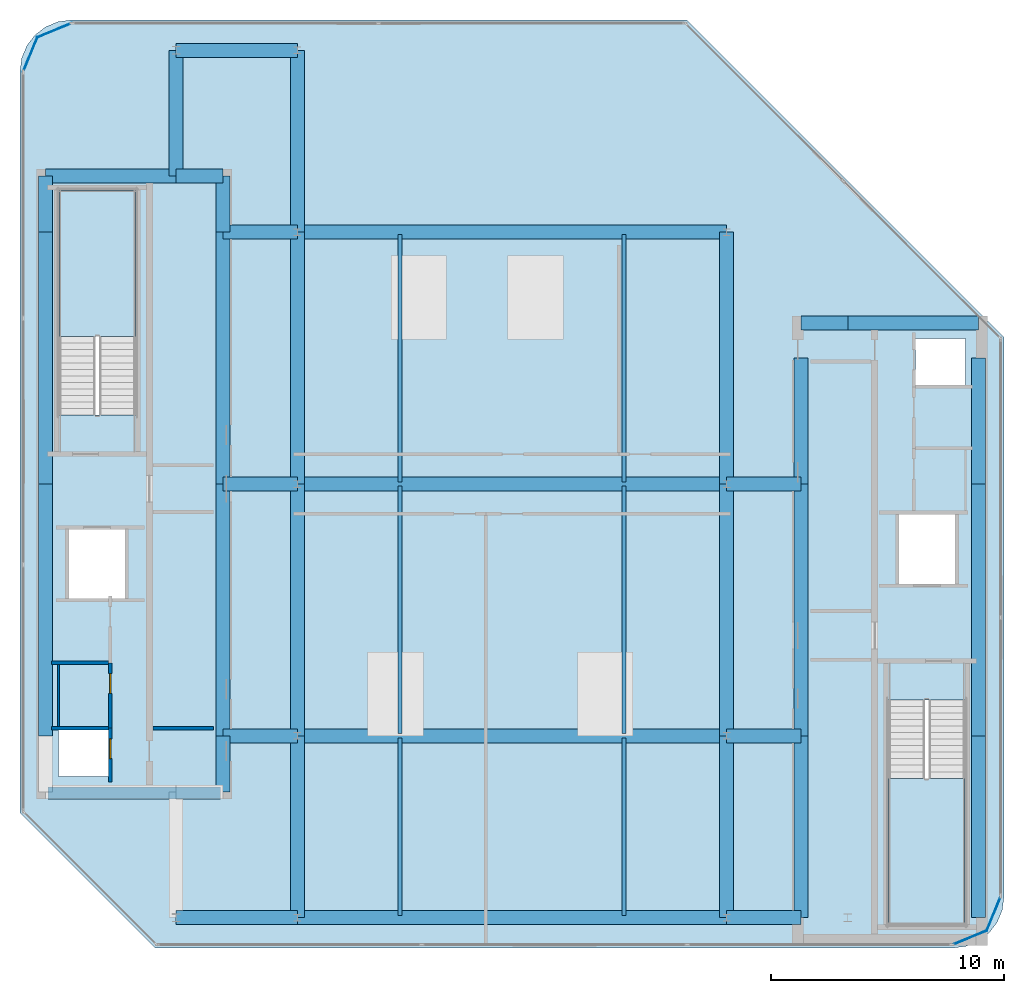
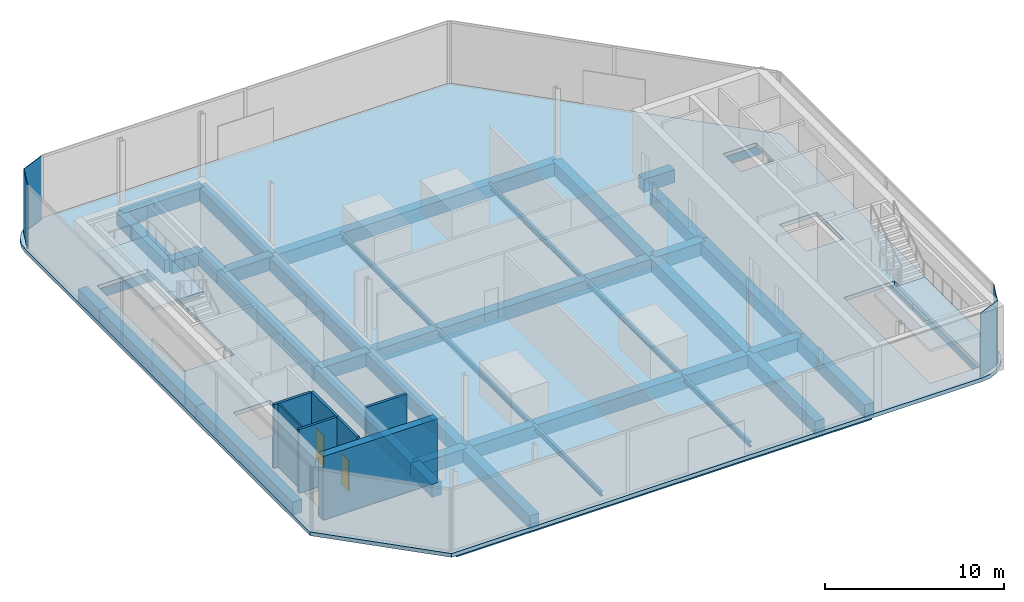
# One storey, part 4 of 15: 43 beams, 7 walls, 4 plates, 3 slabs, 2 doors, 2 openings, 2 elements without a shape of their own.
"""IFC4 building model written with IfcOpenShell, lengths in metres."""

from ifc_helpers import new_model, si_unit, direction, frame, frame_2d, origin, origin_2d, place, context, subcontext, project, spatial, polyline, rectangle, i_section, outline, extrude, material, layer, layer_set, material_profile, profile_set, type_object, element, fill, aggregate, save


model = new_model("IFC4")

# Units and contexts
model_context = context("Model", 3, precision=1e-05, world=origin(), true_north=direction((0.0, 1.0)))
body_context = subcontext(model_context, "Body", "Model", "MODEL_VIEW")
ifc_project = project(units=[si_unit("LENGTHUNIT", "METRE"), si_unit("AREAUNIT", "SQUARE_METRE"), si_unit("VOLUMEUNIT", "CUBIC_METRE"), si_unit("PLANEANGLEUNIT", "RADIAN"), si_unit("MASSUNIT", "GRAM", prefix="KILO")], contexts=[model_context])

# Site, building, storey
site_placement = place(None, origin())
site = spatial("IfcSite", under=ifc_project, at=site_placement, CompositionType="ELEMENT")
building_placement = place(site_placement, origin())
building = spatial("IfcBuilding", under=site, at=building_placement, Name="Khairoan Windgate Tower", CompositionType="ELEMENT")
storey_placement = place(building_placement, frame((0.0, 0.0, 330.39990234375)))
storey = spatial("IfcBuildingStorey", under=building, at=storey_placement, Name="L79", CompositionType="ELEMENT", Elevation=330.39990234375)

# Beams
ifc_material_1 = material(Name="Concrete C50/60", Category="concrete")
ifc_material_profile_1 = material_profile(ifc_material_1, rectangle(XDim=0.60009765625, YDim=0.89990234375, at=origin_2d()))
ifc_profile_set_1 = profile_set([ifc_material_profile_1], Name="Concrete C50/60")
beam_type_1 = type_object("IfcBeamType", Name="Beam B-RC1 RC600x900", PredefinedType="BEAM", material=ifc_profile_set_1)
beam_1_placement = place(storey_placement, frame((-14.39990234375, -18.60009765625, -0.7099609375), z_axis=(1.0, 0.0, 0.0), x_axis=(0.0, 1.0, 0.0)))
element("IfcBeam", 1, at=beam_1_placement, inside=storey, type_object=beam_type_1, Name="L79 E-W Primary Girder 01", PredefinedType="BEAM", context=body_context, shape_type="SweptSolid", body=[
    extrude(rectangle(XDim=0.60009765625, YDim=0.89990234375, at=origin_2d()), origin(), (0.0, 0.0, 1.0), 5.199951171875),
])
beam_2_placement = place(storey_placement, frame((-9.199951171875, -18.60009765625, -0.7099609375), z_axis=(1.0, 0.0, 0.0), x_axis=(0.0, 1.0, 0.0)))
element("IfcBeam", 2, at=beam_2_placement, inside=storey, type_object=beam_type_1, Name="L79 E-W Primary Girder 02", PredefinedType="BEAM", context=body_context, shape_type="SweptSolid", body=[
    extrude(rectangle(XDim=0.60009765625, YDim=0.89990234375, at=origin_2d()), origin(), (0.0, 0.0, 1.0), 18.39990234375),
])
for number, where, z_axis, x_axis, name in (
    (3, (9.199951171875, -18.60009765625, -0.7099609375), (1.0, 0.0, 0.0), (0.0, 1.0, 0.0), "L79 E-W Primary Girder 03"),
    (4, (-12.39990234375, -10.800048828125, -0.7099609375), (1.0, 0.0, 0.0), (0.0, 1.0, 0.0), "L79 E-W Primary Girder 06"),
):
    element("IfcBeam", number, at=place(storey_placement, frame(where, z_axis=z_axis, x_axis=x_axis)), inside=storey, type_object=beam_type_1, Name=name, PredefinedType="BEAM", context=body_context, shape_type="SweptSolid", body=[
        extrude(rectangle(XDim=0.60009765625, YDim=0.89990234375, at=origin_2d()), origin(), (0.0, 0.0, 1.0), 3.199951171875),
    ])
beam_3_placement = place(storey_placement, frame((-9.199951171875, -10.800048828125, -0.7099609375), z_axis=(1.0, 0.0, 0.0), x_axis=(0.0, 1.0, 0.0)))
element("IfcBeam", 5, at=beam_3_placement, inside=storey, type_object=beam_type_1, Name="L79 E-W Primary Girder 07", PredefinedType="BEAM", context=body_context, shape_type="SweptSolid", body=[
    extrude(rectangle(XDim=0.60009765625, YDim=0.89990234375, at=origin_2d()), origin(), (0.0, 0.0, 1.0), 18.39990234375),
])
for number, where, z_axis, x_axis, name in (
    (6, (9.199951171875, -10.800048828125, -0.7099609375), (1.0, 0.0, 0.0), (0.0, 1.0, 0.0), "L79 E-W Primary Girder 08"),
    (7, (-12.39990234375, 0.0, -0.7099609375), (1.0, 0.0, 0.0), (0.0, 1.0, 0.0), "L79 E-W Primary Girder 09"),
):
    element("IfcBeam", number, at=place(storey_placement, frame(where, z_axis=z_axis, x_axis=x_axis)), inside=storey, type_object=beam_type_1, Name=name, PredefinedType="BEAM", context=body_context, shape_type="SweptSolid", body=[
        extrude(rectangle(XDim=0.60009765625, YDim=0.89990234375, at=origin_2d()), origin(), (0.0, 0.0, 1.0), 3.199951171875),
    ])
beam_4_placement = place(storey_placement, frame((-9.199951171875, 0.0, -0.7099609375), z_axis=(1.0, 0.0, 0.0), x_axis=(0.0, 1.0, 0.0)))
element("IfcBeam", 8, at=beam_4_placement, inside=storey, type_object=beam_type_1, Name="L79 E-W Primary Girder 10", PredefinedType="BEAM", context=body_context, shape_type="SweptSolid", body=[
    extrude(rectangle(XDim=0.60009765625, YDim=0.89990234375, at=origin_2d()), origin(), (0.0, 0.0, 1.0), 18.39990234375),
])
beam_5_placement = place(storey_placement, frame((9.199951171875, 0.0, -0.7099609375), z_axis=(1.0, 0.0, 0.0), x_axis=(0.0, 1.0, 0.0)))
element("IfcBeam", 9, at=beam_5_placement, inside=storey, type_object=beam_type_1, Name="L79 E-W Primary Girder 11", PredefinedType="BEAM", context=body_context, shape_type="SweptSolid", body=[
    extrude(rectangle(XDim=0.60009765625, YDim=0.89990234375, at=origin_2d()), origin(), (0.0, 0.0, 1.0), 3.199951171875),
])
beam_6_placement = place(storey_placement, frame((12.39990234375, 6.89990234375, -0.7099609375), z_axis=(1.0, 0.0, 0.0), x_axis=(0.0, 1.0, 0.0)))
element("IfcBeam", 10, at=beam_6_placement, inside=storey, type_object=beam_type_1, Name="L79 E-W Primary Girder 12", PredefinedType="BEAM", context=body_context, shape_type="SweptSolid", body=[
    extrude(rectangle(XDim=0.60009765625, YDim=0.89990234375, at=origin_2d()), origin(), (0.0, 0.0, 1.0), 2.0),
])
beam_7_placement = place(storey_placement, frame((14.39990234375, 6.89990234375, -0.7099609375), z_axis=(1.0, 0.0, 0.0), x_axis=(0.0, 1.0, 0.0)))
element("IfcBeam", 11, at=beam_7_placement, inside=storey, type_object=beam_type_1, Name="L79 E-W Primary Girder 13", PredefinedType="BEAM", context=body_context, shape_type="SweptSolid", body=[
    extrude(rectangle(XDim=0.60009765625, YDim=0.89990234375, at=origin_2d()), origin(), (0.0, 0.0, 1.0), 5.60009765625),
])
beam_8_placement = place(storey_placement, frame((-12.39990234375, 10.800048828125, -0.7099609375), z_axis=(1.0, 0.0, 0.0), x_axis=(0.0, 1.0, 0.0)))
element("IfcBeam", 12, at=beam_8_placement, inside=storey, type_object=beam_type_1, Name="L79 E-W Primary Girder 14", PredefinedType="BEAM", context=body_context, shape_type="SweptSolid", body=[
    extrude(rectangle(XDim=0.60009765625, YDim=0.89990234375, at=origin_2d()), origin(), (0.0, 0.0, 1.0), 3.199951171875),
])
beam_9_placement = place(storey_placement, frame((-9.199951171875, 10.800048828125, -0.7099609375), z_axis=(1.0, 0.0, 0.0), x_axis=(0.0, 1.0, 0.0)))
element("IfcBeam", 13, at=beam_9_placement, inside=storey, type_object=beam_type_1, Name="L79 E-W Primary Girder 15", PredefinedType="BEAM", context=body_context, shape_type="SweptSolid", body=[
    extrude(rectangle(XDim=0.60009765625, YDim=0.89990234375, at=origin_2d()), origin(), (0.0, 0.0, 1.0), 18.39990234375),
])
beam_10_placement = place(storey_placement, frame((-20.0, 13.199951171875, -0.7099609375), z_axis=(1.0, 0.0, 0.0), x_axis=(0.0, 1.0, 0.0)))
element("IfcBeam", 14, at=beam_10_placement, inside=storey, type_object=beam_type_1, Name="L79 E-W Primary Girder 16", PredefinedType="BEAM", context=body_context, shape_type="SweptSolid", body=[
    extrude(rectangle(XDim=0.60009765625, YDim=0.89990234375, at=origin_2d()), origin(), (0.0, 0.0, 1.0), 5.60009765625),
])
beam_11_placement = place(storey_placement, frame((-14.39990234375, 13.199951171875, -0.7099609375), z_axis=(1.0, 0.0, 0.0), x_axis=(0.0, 1.0, 0.0)))
element("IfcBeam", 15, at=beam_11_placement, inside=storey, type_object=beam_type_1, Name="L79 E-W Primary Girder 17", PredefinedType="BEAM", context=body_context, shape_type="SweptSolid", body=[
    extrude(rectangle(XDim=0.60009765625, YDim=0.89990234375, at=origin_2d()), origin(), (0.0, 0.0, 1.0), 2.0),
])
beam_12_placement = place(storey_placement, frame((-14.39990234375, 18.60009765625, -0.7099609375), z_axis=(1.0, 0.0, 0.0), x_axis=(0.0, 1.0, 0.0)))
element("IfcBeam", 16, at=beam_12_placement, inside=storey, type_object=beam_type_1, Name="L79 E-W Primary Girder 18", PredefinedType="BEAM", context=body_context, shape_type="SweptSolid", body=[
    extrude(rectangle(XDim=0.60009765625, YDim=0.89990234375, at=origin_2d()), origin(), (0.0, 0.0, 1.0), 5.199951171875),
])
for number, where, z_axis, x_axis, name in (
    (17, (-20.0, -10.800048828125, -0.7099609375), (0.0, 1.0, 0.0), (-1.0, 0.0, 0.0), "L79 N-S Primary Beam 20"),
    (18, (-20.0, 0.0, -0.7099609375), (0.0, 1.0, 0.0), (-1.0, 0.0, 0.0), "L79 N-S Primary Beam 21"),
):
    element("IfcBeam", number, at=place(storey_placement, frame(where, z_axis=z_axis, x_axis=x_axis)), inside=storey, type_object=beam_type_1, Name=name, PredefinedType="BEAM", context=body_context, shape_type="SweptSolid", body=[
        extrude(rectangle(XDim=0.60009765625, YDim=0.89990234375, at=origin_2d()), origin(), (0.0, 0.0, 1.0), 10.800048828125),
    ])
beam_13_placement = place(storey_placement, frame((-20.0, 10.800048828125, -0.7099609375), z_axis=(0.0, 1.0, 0.0), x_axis=(-1.0, 0.0, 0.0)))
element("IfcBeam", 19, at=beam_13_placement, inside=storey, type_object=beam_type_1, Name="L79 N-S Primary Beam 22", PredefinedType="BEAM", context=body_context, shape_type="SweptSolid", body=[
    extrude(rectangle(XDim=0.60009765625, YDim=0.89990234375, at=origin_2d()), origin(), (0.0, 0.0, 1.0), 2.39990234375),
])
beam_14_placement = place(storey_placement, frame((-14.39990234375, 13.199951171875, -0.7099609375), z_axis=(0.0, 1.0, 0.0), x_axis=(-1.0, 0.0, 0.0)))
element("IfcBeam", 20, at=beam_14_placement, inside=storey, type_object=beam_type_1, Name="L79 N-S Primary Beam 24", PredefinedType="BEAM", context=body_context, shape_type="SweptSolid", body=[
    extrude(rectangle(XDim=0.60009765625, YDim=0.89990234375, at=origin_2d()), origin(), (0.0, 0.0, 1.0), 5.400146484375),
])
beam_15_placement = place(storey_placement, frame((-12.39990234375, -13.199951171875, -0.7099609375), z_axis=(0.0, 1.0, 0.0), x_axis=(-1.0, 0.0, 0.0)))
element("IfcBeam", 21, at=beam_15_placement, inside=storey, type_object=beam_type_1, Name="L79 N-S Primary Beam 25", PredefinedType="BEAM", context=body_context, shape_type="SweptSolid", body=[
    extrude(rectangle(XDim=0.60009765625, YDim=0.89990234375, at=origin_2d()), origin(), (0.0, 0.0, 1.0), 2.39990234375),
])
for number, where, z_axis, x_axis, name in (
    (22, (-12.39990234375, -10.800048828125, -0.7099609375), (0.0, 1.0, 0.0), (-1.0, 0.0, 0.0), "L79 N-S Primary Beam 26"),
    (23, (-12.39990234375, 0.0, -0.7099609375), (0.0, 1.0, 0.0), (-1.0, 0.0, 0.0), "L79 N-S Primary Beam 27"),
):
    element("IfcBeam", number, at=place(storey_placement, frame(where, z_axis=z_axis, x_axis=x_axis)), inside=storey, type_object=beam_type_1, Name=name, PredefinedType="BEAM", context=body_context, shape_type="SweptSolid", body=[
        extrude(rectangle(XDim=0.60009765625, YDim=0.89990234375, at=origin_2d()), origin(), (0.0, 0.0, 1.0), 10.800048828125),
    ])
beam_16_placement = place(storey_placement, frame((-12.39990234375, 10.800048828125, -0.7099609375), z_axis=(0.0, 1.0, 0.0), x_axis=(-1.0, 0.0, 0.0)))
element("IfcBeam", 24, at=beam_16_placement, inside=storey, type_object=beam_type_1, Name="L79 N-S Primary Beam 28", PredefinedType="BEAM", context=body_context, shape_type="SweptSolid", body=[
    extrude(rectangle(XDim=0.60009765625, YDim=0.89990234375, at=origin_2d()), origin(), (0.0, 0.0, 1.0), 2.39990234375),
])
beam_17_placement = place(storey_placement, frame((-9.199951171875, -18.60009765625, -0.7099609375), z_axis=(0.0, 1.0, 0.0), x_axis=(-1.0, 0.0, 0.0)))
element("IfcBeam", 25, at=beam_17_placement, inside=storey, type_object=beam_type_1, Name="L79 N-S Primary Beam 29", PredefinedType="BEAM", context=body_context, shape_type="SweptSolid", body=[
    extrude(rectangle(XDim=0.60009765625, YDim=0.89990234375, at=origin_2d()), origin(), (0.0, 0.0, 1.0), 7.800048828125),
])
for number, where, z_axis, x_axis, name in (
    (26, (-9.199951171875, -10.800048828125, -0.7099609375), (0.0, 1.0, 0.0), (-1.0, 0.0, 0.0), "L79 N-S Primary Beam 30"),
    (27, (-9.199951171875, 0.0, -0.7099609375), (0.0, 1.0, 0.0), (-1.0, 0.0, 0.0), "L79 N-S Primary Beam 31"),
):
    element("IfcBeam", number, at=place(storey_placement, frame(where, z_axis=z_axis, x_axis=x_axis)), inside=storey, type_object=beam_type_1, Name=name, PredefinedType="BEAM", context=body_context, shape_type="SweptSolid", body=[
        extrude(rectangle(XDim=0.60009765625, YDim=0.89990234375, at=origin_2d()), origin(), (0.0, 0.0, 1.0), 10.800048828125),
    ])
for number, where, z_axis, x_axis, name in (
    (28, (-9.199951171875, 10.800048828125, -0.7099609375), (0.0, 1.0, 0.0), (-1.0, 0.0, 0.0), "L79 N-S Primary Beam 32"),
    (29, (9.199951171875, -18.60009765625, -0.7099609375), (0.0, 1.0, 0.0), (-1.0, 0.0, 0.0), "L79 N-S Primary Beam 33"),
):
    element("IfcBeam", number, at=place(storey_placement, frame(where, z_axis=z_axis, x_axis=x_axis)), inside=storey, type_object=beam_type_1, Name=name, PredefinedType="BEAM", context=body_context, shape_type="SweptSolid", body=[
        extrude(rectangle(XDim=0.60009765625, YDim=0.89990234375, at=origin_2d()), origin(), (0.0, 0.0, 1.0), 7.800048828125),
    ])
for number, where, z_axis, x_axis, name in (
    (30, (9.199951171875, -10.800048828125, -0.7099609375), (0.0, 1.0, 0.0), (-1.0, 0.0, 0.0), "L79 N-S Primary Beam 34"),
    (31, (9.199951171875, 0.0, -0.7099609375), (0.0, 1.0, 0.0), (-1.0, 0.0, 0.0), "L79 N-S Primary Beam 35"),
):
    element("IfcBeam", number, at=place(storey_placement, frame(where, z_axis=z_axis, x_axis=x_axis)), inside=storey, type_object=beam_type_1, Name=name, PredefinedType="BEAM", context=body_context, shape_type="SweptSolid", body=[
        extrude(rectangle(XDim=0.60009765625, YDim=0.89990234375, at=origin_2d()), origin(), (0.0, 0.0, 1.0), 10.800048828125),
    ])
beam_18_placement = place(storey_placement, frame((12.39990234375, -18.60009765625, -0.7099609375), z_axis=(0.0, 1.0, 0.0), x_axis=(-1.0, 0.0, 0.0)))
element("IfcBeam", 32, at=beam_18_placement, inside=storey, type_object=beam_type_1, Name="L79 N-S Primary Beam 36", PredefinedType="BEAM", context=body_context, shape_type="SweptSolid", body=[
    extrude(rectangle(XDim=0.60009765625, YDim=0.89990234375, at=origin_2d()), origin(), (0.0, 0.0, 1.0), 7.800048828125),
])
beam_19_placement = place(storey_placement, frame((12.39990234375, -10.800048828125, -0.7099609375), z_axis=(0.0, 1.0, 0.0), x_axis=(-1.0, 0.0, 0.0)))
element("IfcBeam", 33, at=beam_19_placement, inside=storey, type_object=beam_type_1, Name="L79 N-S Primary Beam 37", PredefinedType="BEAM", context=body_context, shape_type="SweptSolid", body=[
    extrude(rectangle(XDim=0.60009765625, YDim=0.89990234375, at=origin_2d()), origin(), (0.0, 0.0, 1.0), 10.800048828125),
])
beam_20_placement = place(storey_placement, frame((12.39990234375, 0.0, -0.7099609375), z_axis=(0.0, 1.0, 0.0), x_axis=(-1.0, 0.0, 0.0)))
element("IfcBeam", 34, at=beam_20_placement, inside=storey, type_object=beam_type_1, Name="L79 N-S Primary Beam 38", PredefinedType="BEAM", context=body_context, shape_type="SweptSolid", body=[
    extrude(rectangle(XDim=0.60009765625, YDim=0.89990234375, at=origin_2d()), origin(), (0.0, 0.0, 1.0), 5.39990234375),
])
beam_21_placement = place(storey_placement, frame((20.0, -18.60009765625, -0.7099609375), z_axis=(0.0, 1.0, 0.0), x_axis=(-1.0, 0.0, 0.0)))
element("IfcBeam", 35, at=beam_21_placement, inside=storey, type_object=beam_type_1, Name="L79 N-S Primary Beam 39", PredefinedType="BEAM", context=body_context, shape_type="SweptSolid", body=[
    extrude(rectangle(XDim=0.60009765625, YDim=0.89990234375, at=origin_2d()), origin(), (0.0, 0.0, 1.0), 7.800048828125),
])
beam_22_placement = place(storey_placement, frame((20.0, -10.800048828125, -0.7099609375), z_axis=(0.0, 1.0, 0.0), x_axis=(-1.0, 0.0, 0.0)))
element("IfcBeam", 36, at=beam_22_placement, inside=storey, type_object=beam_type_1, Name="L79 N-S Primary Beam 40", PredefinedType="BEAM", context=body_context, shape_type="SweptSolid", body=[
    extrude(rectangle(XDim=0.60009765625, YDim=0.89990234375, at=origin_2d()), origin(), (0.0, 0.0, 1.0), 10.800048828125),
])
beam_23_placement = place(storey_placement, frame((20.0, 0.0, -0.7099609375), z_axis=(0.0, 1.0, 0.0), x_axis=(-1.0, 0.0, 0.0)))
element("IfcBeam", 37, at=beam_23_placement, inside=storey, type_object=beam_type_1, Name="L79 N-S Primary Beam 41", PredefinedType="BEAM", context=body_context, shape_type="SweptSolid", body=[
    extrude(rectangle(XDim=0.60009765625, YDim=0.89990234375, at=origin_2d()), origin(), (0.0, 0.0, 1.0), 5.39990234375),
])
ifc_material_2 = material(Name="Steel S355", Category="steel")
ifc_material_profile_2 = material_profile(ifc_material_2, i_section(OverallWidth=0.175048828125, OverallDepth=0.35009765625, WebThickness=0.007080078125, FlangeThickness=0.010986328125, FilletRadius=0.013916015625, at=origin_2d()))
ifc_profile_set_2 = profile_set([ifc_material_profile_2], Name="Steel S355")
beam_type_2 = type_object("IfcBeamType", Name="Beam J-S5 H350x175x7x11", PredefinedType="JOIST", material=ifc_profile_set_2)
beam_24_placement = place(storey_placement, frame((-4.800048828125, -18.510009765625, -0.434814453125), z_axis=(0.0, 1.0, 0.0), x_axis=(-1.0, 0.0, 0.0)))
element("IfcBeam", 38, at=beam_24_placement, inside=storey, type_object=beam_type_2, Name="L79 Secondary Floor Joist 01", PredefinedType="JOIST", context=body_context, shape_type="SweptSolid", body=[
    extrude(i_section(OverallWidth=0.175048828125, OverallDepth=0.35009765625, WebThickness=0.007080078125, FlangeThickness=0.010986328125, FilletRadius=0.013916015625, at=origin_2d()), origin(), (0.0, 0.0, 1.0), 7.6201171875),
])
for number, where, z_axis, x_axis, name in (
    (39, (-4.800048828125, -10.7099609375, -0.434814453125), (0.0, 1.0, 0.0), (-1.0, 0.0, 0.0), "L79 Secondary Floor Joist 02"),
    (40, (-4.800048828125, 0.090087890625, -0.434814453125), (0.0, 1.0, 0.0), (-1.0, 0.0, 0.0), "L79 Secondary Floor Joist 03"),
):
    element("IfcBeam", number, at=place(storey_placement, frame(where, z_axis=z_axis, x_axis=x_axis)), inside=storey, type_object=beam_type_2, Name=name, PredefinedType="JOIST", context=body_context, shape_type="SweptSolid", body=[
        extrude(i_section(OverallWidth=0.175048828125, OverallDepth=0.35009765625, WebThickness=0.007080078125, FlangeThickness=0.010986328125, FilletRadius=0.013916015625, at=origin_2d()), origin(), (0.0, 0.0, 1.0), 10.619873046875),
    ])
beam_25_placement = place(storey_placement, frame((4.800048828125, -18.510009765625, -0.434814453125), z_axis=(0.0, 1.0, 0.0), x_axis=(-1.0, 0.0, 0.0)))
element("IfcBeam", 41, at=beam_25_placement, inside=storey, type_object=beam_type_2, Name="L79 Secondary Floor Joist 04", PredefinedType="JOIST", context=body_context, shape_type="SweptSolid", body=[
    extrude(i_section(OverallWidth=0.175048828125, OverallDepth=0.35009765625, WebThickness=0.007080078125, FlangeThickness=0.010986328125, FilletRadius=0.013916015625, at=origin_2d()), origin(), (0.0, 0.0, 1.0), 7.6201171875),
])
for number, where, z_axis, x_axis, name in (
    (42, (4.800048828125, -10.7099609375, -0.434814453125), (0.0, 1.0, 0.0), (-1.0, 0.0, 0.0), "L79 Secondary Floor Joist 05"),
    (43, (4.800048828125, 0.090087890625, -0.434814453125), (0.0, 1.0, 0.0), (-1.0, 0.0, 0.0), "L79 Secondary Floor Joist 06"),
):
    element("IfcBeam", number, at=place(storey_placement, frame(where, z_axis=z_axis, x_axis=x_axis)), inside=storey, type_object=beam_type_2, Name=name, PredefinedType="JOIST", context=body_context, shape_type="SweptSolid", body=[
        extrude(i_section(OverallWidth=0.175048828125, OverallDepth=0.35009765625, WebThickness=0.007080078125, FlangeThickness=0.010986328125, FilletRadius=0.013916015625, at=origin_2d()), origin(), (0.0, 0.0, 1.0), 10.619873046875),
    ])

# Plates
ifc_material_3 = material(Name="Low-E Solar Control Laminated Glass", Category="glass")
ifc_layer_1 = layer(ifc_material_3, 0.030029296875, Name="Low-E Solar Control Laminated Glass")
ifc_layer_set_1 = layer_set([ifc_layer_1], Name="Low-E Solar Control Laminated Glass")
plate_type = type_object("IfcPlateType", Name="Aerodynamic Wind-Corner Curved Glazing Plate", PredefinedType="USERDEFINED", material=ifc_layer_set_1)
for number, where, z_axis, x_axis, name in (
    (44, (-20.657958984375, 18.42333984375, 0.0), (0.0, 0.0, 1.0), (0.381231734269, 0.924479510204, 0.0), "L79 Aerodynamic Wind-Corner Curved Glazing Panel 4"),
    (45, (-19.623291015625, 19.4580078125, 0.0), (0.0, 0.0, 1.0), (0.924479510204, 0.381231734269, 0.0), "L79 Aerodynamic Wind-Corner Curved Glazing Panel 5"),
    (46, (20.657958984375, -18.42333984375, 0.0), (0.0, 0.0, 1.0), (-0.381231734269, -0.924479510204, 0.0), "L79 Aerodynamic Wind-Corner Curved Glazing Panel 9"),
    (47, (19.623291015625, -19.4580078125, 0.0), (0.0, 0.0, 1.0), (-0.924479510204, -0.381231734269, 0.0), "L79 Aerodynamic Wind-Corner Curved Glazing Panel 10"),
):
    element("IfcPlate", number, at=place(storey_placement, frame(where, z_axis=z_axis, x_axis=x_axis)), inside=storey, type_object=plate_type, Name=name, ObjectType="GLAZING PANEL", PredefinedType="USERDEFINED", context=body_context, shape_type="SweptSolid", body=[
        extrude(rectangle(XDim=1.624755859375, YDim=0.035888671875, at=origin_2d()), origin(), (0.0, 0.0, 1.0), 4.340087890625),
    ])

# Stair, slab
ifc_material_4 = material(Name="Concrete C40/50", Category="concrete")
stair_type = type_object("IfcStairType", Name="Tower Core Dog-Leg Stair ST-T1 1560mm", PredefinedType="HALF_TURN_STAIR", material=ifc_material_4)
stair_1_placement = place(storey_placement, origin())
stair_1 = element("IfcStair", 48, at=stair_1_placement, inside=storey, type_object=stair_type, Name="L79 Stair ST1", PredefinedType="HALF_TURN_STAIR")
ifc_material_5 = material(Name="Concrete C40/50", Category="concrete")
ifc_layer_2 = layer(ifc_material_5, 0.199951171875, Name="Concrete C40/50")
ifc_layer_set_2 = layer_set([ifc_layer_2], Name="Concrete C40/50")
slab_type_1 = type_object("IfcSlabType", Name="Reinforced Concrete Stair Landing Slab STL-200", PredefinedType="LANDING", material=ifc_layer_set_2)
slab_1_placement = place(storey_placement, frame((0.0, 0.0, 2.10009765625)))
slab_1 = element("IfcSlab", 49, at=slab_1_placement, type_object=slab_type_1, Name="ST1 landing 1", PredefinedType="LANDING", context=body_context, shape_type="SweptSolid", body=[
    extrude(outline(polyline([(16.14990234375, -12.6201171875), (16.14990234375, -18.89990234375), (19.419921875, -18.89990234375), (19.419921875, -12.6201171875), (16.14990234375, -12.6201171875)])), origin(), (0.0, 0.0, 1.0), 0.199951171875),
])
aggregate(stair_1, [slab_1])

stair_2_placement = place(storey_placement, origin())
stair_2 = element("IfcStair", 50, at=stair_2_placement, inside=storey, type_object=stair_type, Name="L79 Stair ST2", PredefinedType="HALF_TURN_STAIR")
slab_2_placement = place(storey_placement, frame((0.0, 0.0, 2.10009765625)))
slab_2 = element("IfcSlab", 51, at=slab_2_placement, type_object=slab_type_1, Name="ST2 landing 1", PredefinedType="LANDING", context=body_context, shape_type="SweptSolid", body=[
    extrude(outline(polyline([(-16.14990234375, 6.320068359375), (-16.14990234375, 12.60009765625), (-19.419921875, 12.60009765625), (-19.419921875, 6.320068359375), (-16.14990234375, 6.320068359375)])), origin(), (0.0, 0.0, 1.0), 0.199951171875),
])
aggregate(stair_2, [slab_2])

# Slab
ifc_material_6 = material(Name="Concrete C40/50", Category="concrete")
ifc_layer_3 = layer(ifc_material_6, 0.260009765625, Name="Concrete C40/50")
ifc_layer_set_3 = layer_set([ifc_layer_3], Name="Concrete C40/50")
slab_type_2 = type_object("IfcSlabType", Name="Tower Composite Floor Slab FS2 260mm", PredefinedType="FLOOR", material=ifc_layer_set_3)
slab_3_placement = place(storey_placement, frame((0.0, 0.0, -0.260009765625)))
element("IfcSlab", 52, at=slab_3_placement, inside=storey, type_object=slab_type_2, Name="L79 Structural Floor Slab", PredefinedType="FLOOR", context=body_context, shape_type="SweptSolid", body=[
    extrude(outline(polyline([(18.89990234375, -19.89990234375), (19.469482421875, -19.824951171875), (20.0, -19.605224609375), (20.45556640625, -19.255615234375), (20.805419921875, -18.800048828125), (21.02490234375, -18.269287109375), (21.10009765625, -17.699951171875), (21.10009765625, 6.300048828125), (7.5, 19.89990234375), (-18.89990234375, 19.89990234375), (-19.469482421875, 19.824951171875), (-20.0, 19.605224609375), (-20.45556640625, 19.255615234375), (-20.805419921875, 18.800048828125), (-21.02490234375, 18.269287109375), (-21.10009765625, 17.699951171875), (-21.10009765625, -14.10009765625), (-15.300048828125, -19.89990234375), (18.89990234375, -19.89990234375)]), holes=[polyline([(16.14990234375, -9.260009765625), (16.14990234375, -18.89990234375), (19.419921875, -18.89990234375), (19.419921875, -9.260009765625), (16.14990234375, -9.260009765625)]), polyline([(-16.14990234375, 2.9599609375), (-16.14990234375, 12.60009765625), (-19.419921875, 12.60009765625), (-19.419921875, 2.9599609375), (-16.14990234375, 2.9599609375)]), polyline([(16.60009765625, -4.300048828125), (19.0, -4.300048828125), (19.0, -1.300048828125), (16.60009765625, -1.300048828125), (16.60009765625, -4.300048828125)]), polyline([(-19.0, -4.89990234375), (-16.60009765625, -4.89990234375), (-16.60009765625, -1.89990234375), (-19.0, -1.89990234375), (-19.0, -4.89990234375)]), polyline([(-19.449951171875, -12.550048828125), (-17.31005859375, -12.550048828125), (-17.31005859375, -10.550048828125), (-19.449951171875, -10.550048828125), (-19.449951171875, -12.550048828125)]), polyline([(17.31005859375, 4.25), (19.449951171875, 4.25), (19.449951171875, 6.25), (17.31005859375, 6.25), (17.31005859375, 4.25)])]), origin(), (0.0, 0.0, 1.0), 0.260009765625),
])

# Walls
ifc_material_7 = material(Name="Moisture-Resistant Gypsum Partition", Category="gypsum")
ifc_layer_4 = layer(ifc_material_7, 0.10009765625, Name="Moisture-Resistant Gypsum Partition")
ifc_layer_set_4 = layer_set([ifc_layer_4], Name="Moisture-Resistant Gypsum Partition")
wall_type_1 = type_object("IfcWallType", Name="Bathroom Wet-Area Partition Wall", PredefinedType="PARTITIONING", material=ifc_layer_set_4)
wall_1_placement = place(storey_placement, frame((-19.449951171875, -10.389892578125, 0.0), z_axis=(0.0, 0.0, 1.0), x_axis=(0.0, 1.0, 0.0)))
element("IfcWall", 53, at=wall_1_placement, inside=storey, type_object=wall_type_1, Name="L79 Wet Room Side Wall 017", PredefinedType="PARTITIONING", context=body_context, shape_type="SweptSolid", body=[
    extrude(rectangle(XDim=2.639892578125, YDim=0.10009765625, at=frame_2d((1.31982421875, 0.0))), origin(), (0.0, 0.0, 1.0), 4.340087890625),
])
ifc_material_8 = material(Name="Concrete C40/50", Category="concrete")
ifc_layer_5 = layer(ifc_material_8, 0.159912109375, Name="Concrete C40/50")
ifc_layer_set_5 = layer_set([ifc_layer_5], Name="Concrete C40/50")
wall_type_2 = type_object("IfcWallType", Name="Core and Hoistway Enclosure Wall", PredefinedType="STANDARD", material=ifc_layer_set_5)
wall_2_placement = place(storey_placement, frame((-15.39990234375, -10.47998046875, 0.0), z_axis=(0.0, 0.0, 1.0), x_axis=(1.0, 0.0, 0.0)))
element("IfcWall", 54, at=wall_2_placement, inside=storey, type_object=wall_type_2, Name="L79 Core Shaft Wall SW-WSV-L79", PredefinedType="STANDARD", context=body_context, shape_type="SweptSolid", body=[
    extrude(rectangle(XDim=2.599853515625, YDim=0.159912109375, at=frame_2d((1.2998046875, 0.0))), origin(), (0.0, 0.0, 1.0), 4.340087890625),
])

# Wall, opening, door
ifc_material_9 = material(Name="Concrete C40/50", Category="concrete")
ifc_layer_6 = layer(ifc_material_9, 0.159912109375, Name="Concrete C40/50")
ifc_layer_set_6 = layer_set([ifc_layer_6], Name="Concrete C40/50")
wall_type_3 = type_object("IfcWallType", Name="Plant and Refuge Compartment Wall", PredefinedType="PARTITIONING", material=ifc_layer_set_6)
wall_3_placement = place(storey_placement, frame((-17.22998046875, -12.7900390625, 0.0), z_axis=(0.0, 0.0, 1.0), x_axis=(0.0, 1.0, 0.0)))
wall_3 = element("IfcWall", 55, at=wall_3_placement, inside=storey, type_object=wall_type_3, Name="L79 Interior Partition 001", PredefinedType="PARTITIONING", context=body_context, shape_type="SweptSolid", body=[
    extrude(rectangle(XDim=2.320068359375, YDim=0.159912109375, at=frame_2d((1.16015625, 0.0))), origin(), (0.0, 0.0, 1.0), 4.340087890625),
])
opening_1_placement = place(wall_3_placement, frame((1.010009765625, 0.0, 0.0)))
opening_1 = element("IfcOpeningElement", 56, at=opening_1_placement, cuts=wall_3, Name="Opening FD-SRV", PredefinedType="OPENING", context=body_context, shape_type="SweptSolid", body=[
    extrude(rectangle(XDim=0.85009765625, YDim=2.10009765625, at=frame_2d((0.425048828125, 1.050048828125))), frame((0.0, 0.08984375, 0.0), z_axis=(0.0, -1.0, 0.0), x_axis=(1.0, 0.0, 0.0)), (0.0, 0.0, 1.0), 0.179931640625),
])
ifc_material_10 = material(Name="Steel S355", Category="steel")
door_type = type_object("IfcDoorType", Name="Core Service and Riser Fire Door FD-SRV 850x2100", OperationType="NOTDEFINED", PredefinedType="DOOR", material=ifc_material_10)
door_1_placement = place(opening_1_placement, origin())
door_1 = element("IfcDoor", 57, at=door_1_placement, inside=storey, type_object=door_type, Name="L79 L79-04-L79-05 Door", OperationType="SINGLE_SWING_LEFT", OverallHeight=2.10009765625, OverallWidth=0.85009765625, PredefinedType="DOOR", context=body_context, shape_type="SweptSolid", body=[
    extrude(rectangle(XDim=0.85009765625, YDim=2.10009765625, at=frame_2d((0.425048828125, 1.050048828125))), frame((0.0, 0.02490234375, 0.0), z_axis=(0.0, -1.0, 0.0), x_axis=(1.0, 0.0, 0.0)), (0.0, 0.0, 1.0), 0.050048828125),
])
fill(opening_1, door_1)

wall_4_placement = place(storey_placement, frame((-17.22998046875, -10.469970703125, 0.0), z_axis=(0.0, 0.0, 1.0), x_axis=(0.0, 1.0, 0.0)))
wall_4 = element("IfcWall", 58, at=wall_4_placement, inside=storey, type_object=wall_type_3, Name="L79 Interior Partition 002", PredefinedType="PARTITIONING", context=body_context, shape_type="SweptSolid", body=[
    extrude(rectangle(XDim=2.800048828125, YDim=0.159912109375, at=frame_2d((1.39990234375, 0.0))), origin(), (0.0, 0.0, 1.0), 4.340087890625),
])
opening_2_placement = place(wall_4_placement, frame((1.489990234375, 0.0, 0.0)))
opening_2 = element("IfcOpeningElement", 59, at=opening_2_placement, cuts=wall_4, Name="Opening FD-SRV", PredefinedType="OPENING", context=body_context, shape_type="SweptSolid", body=[
    extrude(rectangle(XDim=0.85009765625, YDim=2.10009765625, at=frame_2d((0.425048828125, 1.050048828125))), frame((0.0, 0.08984375, 0.0), z_axis=(0.0, -1.0, 0.0), x_axis=(1.0, 0.0, 0.0)), (0.0, 0.0, 1.0), 0.179931640625),
])
door_2_placement = place(opening_2_placement, origin())
door_2 = element("IfcDoor", 60, at=door_2_placement, inside=storey, type_object=door_type, Name="L79 L79-04-L79-06 Door", OperationType="SINGLE_SWING_RIGHT", OverallHeight=2.10009765625, OverallWidth=0.85009765625, PredefinedType="DOOR", context=body_context, shape_type="SweptSolid", body=[
    extrude(rectangle(XDim=0.85009765625, YDim=2.10009765625, at=frame_2d((0.425048828125, 1.050048828125))), frame((0.0, 0.02490234375, 0.0), z_axis=(0.0, -1.0, 0.0), x_axis=(1.0, 0.0, 0.0)), (0.0, 0.0, 1.0), 0.050048828125),
])
fill(opening_2, door_2)

# Walls
for number, where, z_axis, x_axis, name in (
    (61, (-19.75, -10.469970703125, 0.0), (0.0, 0.0, 1.0), (1.0, 0.0, 0.0), "L79 Interior Partition 004"),
    (62, (-19.75, -7.669921875, 0.0), (0.0, 0.0, 1.0), (1.0, 0.0, 0.0), "L79 Interior Partition 005"),
):
    element("IfcWall", number, at=place(storey_placement, frame(where, z_axis=z_axis, x_axis=x_axis)), inside=storey, type_object=wall_type_3, Name=name, PredefinedType="PARTITIONING", context=body_context, shape_type="SweptSolid", body=[
        extrude(rectangle(XDim=2.43994140625, YDim=0.159912109375, at=frame_2d((1.219970703125, 0.0))), origin(), (0.0, 0.0, 1.0), 4.340087890625),
    ])
ifc_material_11 = material(Name="Concrete C50/60", Category="concrete")
ifc_layer_7 = layer(ifc_material_11, 0.5, Name="Concrete C50/60")
ifc_layer_set_7 = layer_set([ifc_layer_7], Name="Concrete C50/60")
wall_type_4 = type_object("IfcWallType", Name="Shear Wall CW-W3 500mm", PredefinedType="SHEAR", material=ifc_layer_set_7)
wall_5_placement = place(storey_placement, frame((-19.89990234375, -13.25, 0.0), z_axis=(0.0, 0.0, 1.0), x_axis=(1.0, 0.0, 0.0)))
element("IfcWall", 63, at=wall_5_placement, inside=storey, type_object=wall_type_4, Name="W Core South Shear Wall L79", PredefinedType="SHEAR", context=body_context, shape_type="SweptSolid", body=[
    extrude(rectangle(XDim=7.39990234375, YDim=0.5, at=frame_2d((3.699951171875, 0.0))), origin(), (0.0, 0.0, 1.0), 4.340087890625),
])

save(model, "model.ifc")
